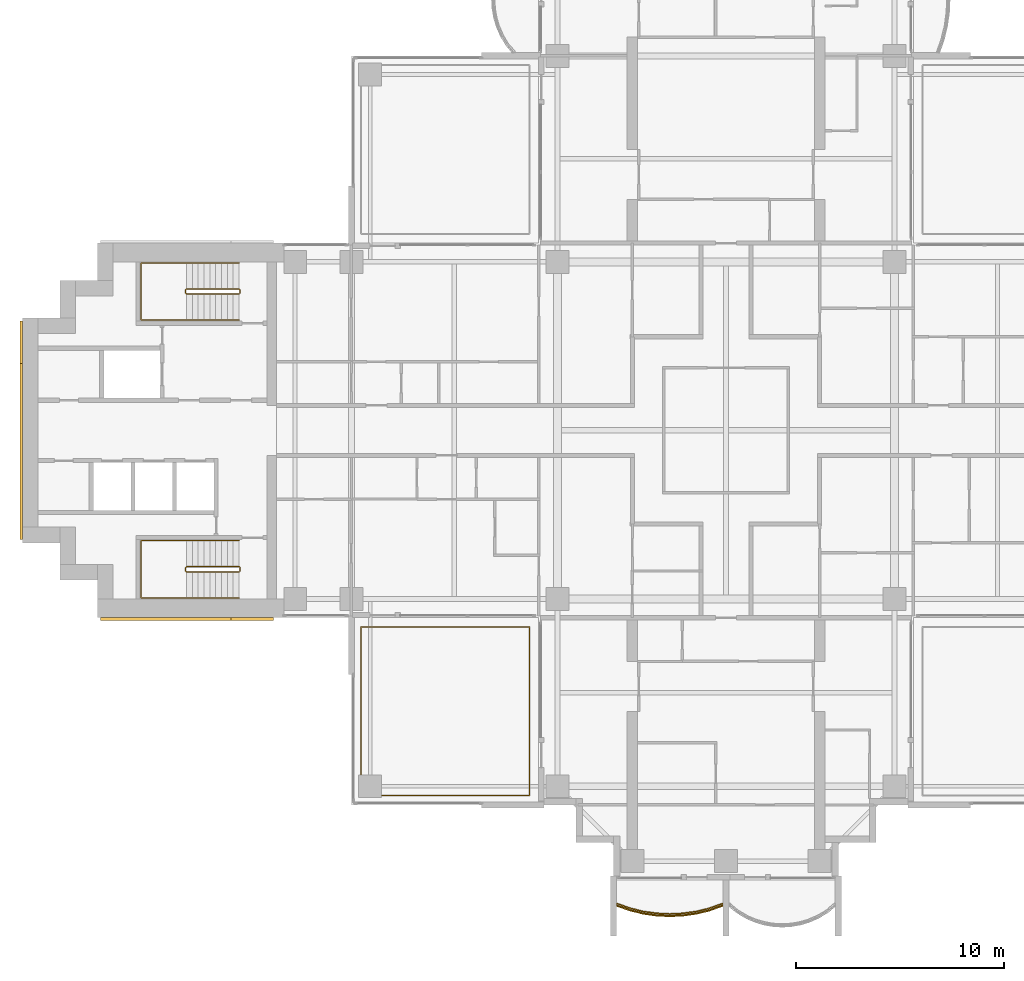
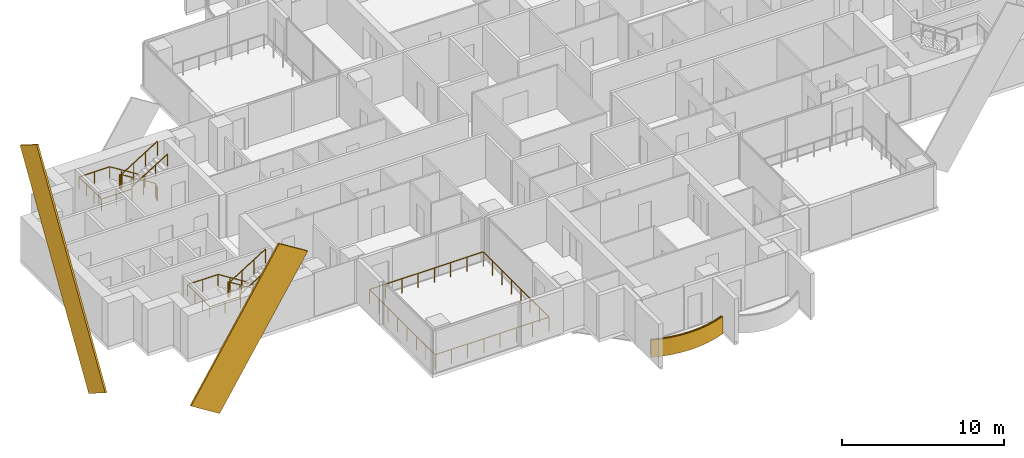
# One storey, part 16 of 19: 6 railings, 3 coverings.
"""IFC4 building model written with IfcOpenShell, lengths in metres."""

from ifc_helpers import new_model, si_unit, direction, frame, origin, origin_2d, place, context, subcontext, project, spatial, polyline, rectangle, outline, extrude, material, layer, layer_set, material_profile, profile_set, type_object, element, save


model = new_model("IFC4")

# Units and contexts
model_context = context("Model", 3, precision=1e-05, world=origin(), true_north=direction((0.0, 1.0)))
body_context = subcontext(model_context, "Body", "Model", "MODEL_VIEW")
ifc_project = project(units=[si_unit("LENGTHUNIT", "METRE"), si_unit("AREAUNIT", "SQUARE_METRE"), si_unit("VOLUMEUNIT", "CUBIC_METRE"), si_unit("PLANEANGLEUNIT", "RADIAN"), si_unit("MASSUNIT", "GRAM", prefix="KILO")], contexts=[model_context])

# Site, building, storey
site_placement = place(None, origin())
site = spatial("IfcSite", under=ifc_project, at=site_placement, CompositionType="ELEMENT")
building_placement = place(site_placement, origin())
building = spatial("IfcBuilding", under=site, at=building_placement, Name="Perihelion Cross Residences", CompositionType="ELEMENT")
storey_placement = place(building_placement, frame((0.0, 0.0, 116.39990234375)))
storey = spatial("IfcBuildingStorey", under=building, at=storey_placement, Name="L27", CompositionType="ELEMENT", Elevation=116.39990234375)

# Covering
ifc_material_1 = material(Name="Bronze anodised aluminium", Category="aluminium")
ifc_layer = layer(ifc_material_1, 0.070068359375)
ifc_layer_set = layer_set([ifc_layer], Name="Balcony fascia 1300")
covering_type_1 = type_object("IfcCoveringType", Name="Balcony fascia 1300", PredefinedType="CLADDING", material=ifc_layer_set)
covering_1_placement = place(storey_placement, frame((0.0, 0.0, -0.199951171875)))
element("IfcCovering", 1, at=covering_1_placement, inside=storey, type_object=covering_type_1, Name="Fascia BF1 L27 south tip south bay 1", PredefinedType="CLADDING", context=body_context, shape_type="SweptSolid", body=[
    extrude(outline(polyline([(-4.63232421875, -23.090576171875), (-3.98828125, -23.247314453125), (-3.34423828125, -23.339599609375), (-2.699951171875, -23.3701171875), (-2.055908203125, -23.339599609375), (-1.411865234375, -23.247314453125), (-0.767578125, -23.090576171875), (-0.14990234375, -22.874267578125), (-0.14990234375, -22.800048828125), (-0.78759765625, -23.0234375), (-1.425048828125, -23.178466796875), (-2.0625, -23.269775390625), (-2.699951171875, -23.300048828125), (-3.33740234375, -23.269775390625), (-3.97509765625, -23.178466796875), (-4.612548828125, -23.0234375), (-5.25, -22.800048828125), (-5.25, -22.874267578125), (-4.63232421875, -23.090576171875)])), origin(), (0.0, 0.0, 1.0), 1.300048828125),
])

# Railings
ifc_material_2 = material(Name="Bronze anodised aluminium", Category="aluminium")
railing_type_1 = type_object("IfcRailingType", Name="Balcony guard 1100", PredefinedType="GUARDRAIL", material=ifc_material_2)
railing_1_placement = place(storey_placement, frame((-5.22509765625, -22.739990234375, 0.0)))
element("IfcRailing", 2, at=railing_1_placement, inside=storey, type_object=railing_type_1, Name="Guard GU1 L27 south tip south bay 1 balcony", PredefinedType="GUARDRAIL", context=body_context, shape_type="SweptSolid", body=[
    extrude(rectangle(XDim=0.048095703125, YDim=0.048095703125, at=origin_2d()), frame((0.0, 0.0, 1.076171875), z_axis=(0.939355405384, -0.342945217749, 0.0), x_axis=(0.342945217749, 0.939355405384, 0.0)), (0.0, 0.0, 1.0), 0.652099609375),
    extrude(rectangle(XDim=0.048095703125, YDim=0.048095703125, at=origin_2d()), frame((0.612548828125, -0.2236328125, 1.076171875), z_axis=(0.971676841941, -0.236313594268, 0.0), x_axis=(0.236313594268, 0.971676841941, 0.0)), (0.0, 0.0, 1.0), 0.656005859375),
    extrude(rectangle(XDim=0.048095703125, YDim=0.048095703125, at=origin_2d()), frame((1.25, -0.378662109375, 1.076171875), z_axis=(0.989903964498, -0.141739694763, 0.0), x_axis=(0.141739694763, 0.989903964498, 0.0)), (0.0, 0.0, 1.0), 0.644287109375),
    extrude(rectangle(XDim=0.048095703125, YDim=0.048095703125, at=origin_2d()), frame((1.8876953125, -0.469970703125, 1.076171875), z_axis=(0.998892243319, -0.04705620296, 0.0), x_axis=(0.04705620296, 0.998892243319, 0.0)), (0.0, 0.0, 1.0), 0.63818359375),
    extrude(rectangle(XDim=0.048095703125, YDim=0.048095703125, at=origin_2d()), frame((2.525146484375, -0.5, 1.076171875), z_axis=(0.998892243319, 0.04705620296, 0.0), x_axis=(-0.04705620296, 0.998892243319, 0.0)), (0.0, 0.0, 1.0), 0.63818359375),
    extrude(rectangle(XDim=0.048095703125, YDim=0.048095703125, at=origin_2d()), frame((3.16259765625, -0.469970703125, 1.076171875), z_axis=(0.989896346386, 0.141792889142, 0.0), x_axis=(-0.141792889142, 0.989896346386, 0.0)), (0.0, 0.0, 1.0), 0.64404296875),
    extrude(rectangle(XDim=0.048095703125, YDim=0.048095703125, at=origin_2d()), frame((3.800048828125, -0.378662109375, 1.076171875), z_axis=(0.971676841941, 0.236313594268, 0.0), x_axis=(-0.236313594268, 0.971676841941, 0.0)), (0.0, 0.0, 1.0), 0.656005859375),
    extrude(rectangle(XDim=0.048095703125, YDim=0.048095703125, at=origin_2d()), frame((4.4375, -0.2236328125, 1.076171875), z_axis=(0.939355405384, 0.342945217749, 0.0), x_axis=(-0.342945217749, 0.939355405384, 0.0)), (0.0, 0.0, 1.0), 0.652099609375),
    extrude(rectangle(XDim=0.0419921875, YDim=0.0419921875, at=origin_2d()), origin(), (0.0, 0.0, 1.0), 1.052001953125),
    extrude(rectangle(XDim=0.0419921875, YDim=0.0419921875, at=origin_2d()), frame((0.612548828125, -0.2236328125, 0.0)), (0.0, 0.0, 1.0), 1.052001953125),
    extrude(rectangle(XDim=0.0419921875, YDim=0.0419921875, at=origin_2d()), frame((1.25, -0.378662109375, 0.0)), (0.0, 0.0, 1.0), 1.052001953125),
    extrude(rectangle(XDim=0.0419921875, YDim=0.0419921875, at=origin_2d()), frame((1.8876953125, -0.469970703125, 0.0)), (0.0, 0.0, 1.0), 1.052001953125),
    extrude(rectangle(XDim=0.0419921875, YDim=0.0419921875, at=origin_2d()), frame((2.525146484375, -0.5, 0.0)), (0.0, 0.0, 1.0), 1.052001953125),
    extrude(rectangle(XDim=0.0419921875, YDim=0.0419921875, at=origin_2d()), frame((3.16259765625, -0.469970703125, 0.0)), (0.0, 0.0, 1.0), 1.052001953125),
    extrude(rectangle(XDim=0.0419921875, YDim=0.0419921875, at=origin_2d()), frame((3.800048828125, -0.378662109375, 0.0)), (0.0, 0.0, 1.0), 1.052001953125),
    extrude(rectangle(XDim=0.0419921875, YDim=0.0419921875, at=origin_2d()), frame((4.4375, -0.2236328125, 0.0)), (0.0, 0.0, 1.0), 1.052001953125),
    extrude(rectangle(XDim=0.0419921875, YDim=0.0419921875, at=origin_2d()), frame((5.050048828125, 0.0, 0.0)), (0.0, 0.0, 1.0), 1.052001953125),
])
railing_2_placement = place(storey_placement, frame((-9.449951171875, -17.550048828125, 0.0)))
element("IfcRailing", 3, at=railing_2_placement, inside=storey, type_object=railing_type_1, Name="Guard GU1 L27 pocket south-west 1", PredefinedType="GUARDRAIL", context=body_context, shape_type="SweptSolid", body=[
    extrude(rectangle(XDim=0.048095703125, YDim=0.048095703125, at=origin_2d()), frame((0.0, 0.0, 1.076171875), z_axis=(-1.0, 0.0, 0.0), x_axis=(0.0, -1.0, 0.0)), (0.0, 0.0, 1.0), 8.10009765625),
    extrude(rectangle(XDim=0.048095703125, YDim=0.048095703125, at=origin_2d()), frame((-8.10009765625, 0.0, 1.076171875), z_axis=(0.0, 1.0, 0.0), x_axis=(-1.0, 0.0, 0.0)), (0.0, 0.0, 1.0), 8.10009765625),
    extrude(rectangle(XDim=0.048095703125, YDim=0.048095703125, at=origin_2d()), frame((-8.10009765625, 8.10009765625, 1.076171875), z_axis=(1.0, 0.0, 0.0), x_axis=(0.0, 1.0, 0.0)), (0.0, 0.0, 1.0), 8.10009765625),
    extrude(rectangle(XDim=0.048095703125, YDim=0.048095703125, at=origin_2d()), frame((0.0, 8.10009765625, 1.076171875), z_axis=(0.0, -1.0, 0.0), x_axis=(1.0, 0.0, 0.0)), (0.0, 0.0, 1.0), 8.10009765625),
    extrude(rectangle(XDim=0.0419921875, YDim=0.0419921875, at=origin_2d()), origin(), (0.0, 0.0, 1.0), 1.052001953125),
    extrude(rectangle(XDim=0.0419921875, YDim=0.0419921875, at=origin_2d()), frame((-1.1572265625, 0.0, 0.0)), (0.0, 0.0, 1.0), 1.052001953125),
    extrude(rectangle(XDim=0.0419921875, YDim=0.0419921875, at=origin_2d()), frame((-2.314208984375, 0.0, 0.0)), (0.0, 0.0, 1.0), 1.052001953125),
    extrude(rectangle(XDim=0.0419921875, YDim=0.0419921875, at=origin_2d()), frame((-3.471435546875, 0.0, 0.0)), (0.0, 0.0, 1.0), 1.052001953125),
    extrude(rectangle(XDim=0.0419921875, YDim=0.0419921875, at=origin_2d()), frame((-4.628662109375, 0.0, 0.0)), (0.0, 0.0, 1.0), 1.052001953125),
    extrude(rectangle(XDim=0.0419921875, YDim=0.0419921875, at=origin_2d()), frame((-5.785888671875, 0.0, 0.0)), (0.0, 0.0, 1.0), 1.052001953125),
    extrude(rectangle(XDim=0.0419921875, YDim=0.0419921875, at=origin_2d()), frame((-6.94287109375, 0.0, 0.0)), (0.0, 0.0, 1.0), 1.052001953125),
    extrude(rectangle(XDim=0.0419921875, YDim=0.0419921875, at=origin_2d()), frame((-8.10009765625, 0.0, 0.0)), (0.0, 0.0, 1.0), 1.052001953125),
    extrude(rectangle(XDim=0.0419921875, YDim=0.0419921875, at=origin_2d()), frame((-8.10009765625, 1.1572265625, 0.0)), (0.0, 0.0, 1.0), 1.052001953125),
    extrude(rectangle(XDim=0.0419921875, YDim=0.0419921875, at=origin_2d()), frame((-8.10009765625, 2.314208984375, 0.0)), (0.0, 0.0, 1.0), 1.052001953125),
    extrude(rectangle(XDim=0.0419921875, YDim=0.0419921875, at=origin_2d()), frame((-8.10009765625, 3.471435546875, 0.0)), (0.0, 0.0, 1.0), 1.052001953125),
    extrude(rectangle(XDim=0.0419921875, YDim=0.0419921875, at=origin_2d()), frame((-8.10009765625, 4.628662109375, 0.0)), (0.0, 0.0, 1.0), 1.052001953125),
    extrude(rectangle(XDim=0.0419921875, YDim=0.0419921875, at=origin_2d()), frame((-8.10009765625, 5.785888671875, 0.0)), (0.0, 0.0, 1.0), 1.052001953125),
    extrude(rectangle(XDim=0.0419921875, YDim=0.0419921875, at=origin_2d()), frame((-8.10009765625, 6.94287109375, 0.0)), (0.0, 0.0, 1.0), 1.052001953125),
    extrude(rectangle(XDim=0.0419921875, YDim=0.0419921875, at=origin_2d()), frame((-8.10009765625, 8.10009765625, 0.0)), (0.0, 0.0, 1.0), 1.052001953125),
    extrude(rectangle(XDim=0.0419921875, YDim=0.0419921875, at=origin_2d()), frame((-6.94287109375, 8.10009765625, 0.0)), (0.0, 0.0, 1.0), 1.052001953125),
    extrude(rectangle(XDim=0.0419921875, YDim=0.0419921875, at=origin_2d()), frame((-5.785888671875, 8.10009765625, 0.0)), (0.0, 0.0, 1.0), 1.052001953125),
    extrude(rectangle(XDim=0.0419921875, YDim=0.0419921875, at=origin_2d()), frame((-4.628662109375, 8.10009765625, 0.0)), (0.0, 0.0, 1.0), 1.052001953125),
    extrude(rectangle(XDim=0.0419921875, YDim=0.0419921875, at=origin_2d()), frame((-3.471435546875, 8.10009765625, 0.0)), (0.0, 0.0, 1.0), 1.052001953125),
    extrude(rectangle(XDim=0.0419921875, YDim=0.0419921875, at=origin_2d()), frame((-2.314208984375, 8.10009765625, 0.0)), (0.0, 0.0, 1.0), 1.052001953125),
    extrude(rectangle(XDim=0.0419921875, YDim=0.0419921875, at=origin_2d()), frame((-1.1572265625, 8.10009765625, 0.0)), (0.0, 0.0, 1.0), 1.052001953125),
    extrude(rectangle(XDim=0.0419921875, YDim=0.0419921875, at=origin_2d()), frame((0.0, 8.10009765625, 0.0)), (0.0, 0.0, 1.0), 1.052001953125),
    extrude(rectangle(XDim=0.0419921875, YDim=0.0419921875, at=origin_2d()), frame((0.0, 6.94287109375, 0.0)), (0.0, 0.0, 1.0), 1.052001953125),
    extrude(rectangle(XDim=0.0419921875, YDim=0.0419921875, at=origin_2d()), frame((0.0, 5.785888671875, 0.0)), (0.0, 0.0, 1.0), 1.052001953125),
    extrude(rectangle(XDim=0.0419921875, YDim=0.0419921875, at=origin_2d()), frame((0.0, 4.628662109375, 0.0)), (0.0, 0.0, 1.0), 1.052001953125),
    extrude(rectangle(XDim=0.0419921875, YDim=0.0419921875, at=origin_2d()), frame((0.0, 3.471435546875, 0.0)), (0.0, 0.0, 1.0), 1.052001953125),
    extrude(rectangle(XDim=0.0419921875, YDim=0.0419921875, at=origin_2d()), frame((0.0, 2.314208984375, 0.0)), (0.0, 0.0, 1.0), 1.052001953125),
    extrude(rectangle(XDim=0.0419921875, YDim=0.0419921875, at=origin_2d()), frame((0.0, 1.1572265625, 0.0)), (0.0, 0.0, 1.0), 1.052001953125),
])

# Coverings
ifc_material_3 = material(Name="Bronze anodised aluminium", Category="aluminium")
ifc_material_profile = material_profile(ifc_material_3, rectangle(XDim=0.125, YDim=2.39990234375, at=origin_2d()), Name="Bronze cladding band 2400")
ifc_profile_set = profile_set([ifc_material_profile], Name="Bronze anodised aluminium")
covering_type_2 = type_object("IfcCoveringType", Name="Bronze cladding band 2400", PredefinedType="CLADDING", material=ifc_profile_set)
covering_2_placement = place(storey_placement, frame((-29.0322265625, -9.0625, -4.156005859375), z_axis=(0.529915403603, 0.0, 0.848050508534), x_axis=(0.0, 1.0, 0.0)))
element("IfcCovering", 4, at=covering_2_placement, inside=storey, type_object=covering_type_2, Name="Core cladding band, west core", PredefinedType="CLADDING", context=body_context, shape_type="SweptSolid", body=[
    extrude(rectangle(XDim=0.125, YDim=2.39990234375, at=origin_2d()), origin(), (0.0, 0.0, 1.0), 11.822021484375),
])
covering_3_placement = place(storey_placement, frame((-33.862548828125, -4.232421875, -4.156005859375), z_axis=(0.0, 0.529924750763, 0.848044667767), x_axis=(-1.0, 0.0, 0.0)))
element("IfcCovering", 5, at=covering_3_placement, inside=storey, type_object=covering_type_2, Name="Core cladding band, west core", PredefinedType="CLADDING", context=body_context, shape_type="SweptSolid", body=[
    extrude(rectangle(XDim=0.125, YDim=2.39990234375, at=origin_2d()), origin(), (0.0, 0.0, 1.0), 15.9736328125),
])

# Railings
ifc_material_4 = material(Name="Stainless steel", Category="steel")
railing_type_2 = type_object("IfcRailingType", Name="Stair guard 1100", PredefinedType="GUARDRAIL", material=ifc_material_4)
railing_3_placement = place(storey_placement, frame((-23.35009765625, 6.60009765625, 0.0)))
element("IfcRailing", 6, at=railing_3_placement, inside=storey, type_object=railing_type_2, Name="L27 ST-W1 stair guard 1", PredefinedType="GUARDRAIL", context=body_context, shape_type="SweptSolid", body=[
    extrude(rectangle(XDim=0.048095703125, YDim=0.048095703125, at=origin_2d()), frame((0.0, 0.0, 1.076171875), z_axis=(0.0, 1.0, 0.0), x_axis=(-1.0, 0.0, 0.0)), (0.0, 0.0, 1.0), 0.14990234375),
    extrude(rectangle(XDim=0.048095703125, YDim=0.048095703125, at=origin_2d()), frame((0.0, 0.14990234375, 1.076171875), z_axis=(-0.263862480399, 0.265155923931, 0.927399011991), x_axis=(-0.708833529934, -0.705375805398, 0.0)), (0.0, 0.0, 1.0), 0.188720703125),
    extrude(rectangle(XDim=0.048095703125, YDim=0.048095703125, at=origin_2d()), frame((-0.0498046875, 0.199951171875, 1.2509765625), z_axis=(-0.848007534815, 0.0, 0.529984170421), x_axis=(0.0, -1.0, 0.0)), (0.0, 0.0, 1.0), 2.9716796875),
    extrude(rectangle(XDim=0.048095703125, YDim=0.048095703125, at=origin_2d()), frame((-2.56982421875, 0.199951171875, 2.826171875), z_axis=(-0.707106781187, -0.707106781187, 0.0), x_axis=(0.707106781187, -0.707106781187, 0.0)), (0.0, 0.0, 1.0), 0.07080078125),
    extrude(rectangle(XDim=0.048095703125, YDim=0.048095703125, at=origin_2d()), frame((-2.619873046875, 0.14990234375, 2.826171875), z_axis=(0.0, -1.0, 0.0), x_axis=(1.0, 0.0, 0.0)), (0.0, 0.0, 1.0), 0.14990234375),
    extrude(rectangle(XDim=0.048095703125, YDim=0.048095703125, at=origin_2d()), frame((-2.619873046875, 0.0, 2.826171875), z_axis=(0.265065253269, -0.265065253269, 0.927081885822), x_axis=(0.707106781187, 0.707106781187, 0.0)), (0.0, 0.0, 1.0), 0.188720703125),
    extrude(rectangle(XDim=0.048095703125, YDim=0.048095703125, at=origin_2d()), frame((-2.56982421875, -0.050048828125, 3.0009765625), z_axis=(0.848007534815, 0.0, 0.529984170421), x_axis=(0.0, 1.0, 0.0)), (0.0, 0.0, 1.0), 2.9716796875),
    extrude(rectangle(XDim=0.0419921875, YDim=0.0419921875, at=origin_2d()), origin(), (0.0, 0.0, 1.0), 1.052001953125),
    extrude(rectangle(XDim=0.0419921875, YDim=0.0419921875, at=origin_2d()), frame((0.0, 0.14990234375, 0.0)), (0.0, 0.0, 1.0), 1.052001953125),
    extrude(rectangle(XDim=0.0419921875, YDim=0.0419921875, at=origin_2d()), frame((-0.0498046875, 0.199951171875, 0.175048828125)), (0.0, 0.0, 1.0), 1.052001953125),
    extrude(rectangle(XDim=0.0419921875, YDim=0.0419921875, at=origin_2d()), frame((-0.889892578125, 0.199951171875, 0.699951171875)), (0.0, 0.0, 1.0), 1.052001953125),
    extrude(rectangle(XDim=0.0419921875, YDim=0.0419921875, at=origin_2d()), frame((-1.729736328125, 0.199951171875, 1.22509765625)), (0.0, 0.0, 1.0), 1.052001953125),
    extrude(rectangle(XDim=0.0419921875, YDim=0.0419921875, at=origin_2d()), frame((-2.56982421875, 0.199951171875, 1.75)), (0.0, 0.0, 1.0), 1.052001953125),
    extrude(rectangle(XDim=0.0419921875, YDim=0.0419921875, at=origin_2d()), frame((-2.619873046875, 0.14990234375, 1.75)), (0.0, 0.0, 1.0), 1.052001953125),
    extrude(rectangle(XDim=0.0419921875, YDim=0.0419921875, at=origin_2d()), frame((-2.619873046875, 0.0, 1.75)), (0.0, 0.0, 1.0), 1.052001953125),
    extrude(rectangle(XDim=0.0419921875, YDim=0.0419921875, at=origin_2d()), frame((-2.56982421875, -0.050048828125, 1.925048828125)), (0.0, 0.0, 1.0), 1.052001953125),
    extrude(rectangle(XDim=0.0419921875, YDim=0.0419921875, at=origin_2d()), frame((-1.729736328125, -0.050048828125, 2.449951171875)), (0.0, 0.0, 1.0), 1.052001953125),
    extrude(rectangle(XDim=0.0419921875, YDim=0.0419921875, at=origin_2d()), frame((-0.889892578125, -0.050048828125, 2.97509765625)), (0.0, 0.0, 1.0), 1.052001953125),
    extrude(rectangle(XDim=0.0419921875, YDim=0.0419921875, at=origin_2d()), frame((-0.0498046875, -0.050048828125, 3.5)), (0.0, 0.0, 1.0), 1.052001953125),
])
railing_4_placement = place(storey_placement, frame((-23.35009765625, -6.75, 0.0)))
element("IfcRailing", 7, at=railing_4_placement, inside=storey, type_object=railing_type_2, Name="L27 ST-W2 stair guard 1", PredefinedType="GUARDRAIL", context=body_context, shape_type="SweptSolid", body=[
    extrude(rectangle(XDim=0.048095703125, YDim=0.048095703125, at=origin_2d()), frame((0.0, 0.0, 1.076171875), z_axis=(0.0, 1.0, 0.0), x_axis=(-1.0, 0.0, 0.0)), (0.0, 0.0, 1.0), 0.14990234375),
    extrude(rectangle(XDim=0.048095703125, YDim=0.048095703125, at=origin_2d()), frame((0.0, 0.14990234375, 1.076171875), z_axis=(-0.263862480399, 0.265155923931, 0.927399011991), x_axis=(-0.708833529934, -0.705375805398, 0.0)), (0.0, 0.0, 1.0), 0.188720703125),
    extrude(rectangle(XDim=0.048095703125, YDim=0.048095703125, at=origin_2d()), frame((-0.0498046875, 0.199951171875, 1.2509765625), z_axis=(-0.848007534815, 0.0, 0.529984170421), x_axis=(0.0, -1.0, 0.0)), (0.0, 0.0, 1.0), 2.9716796875),
    extrude(rectangle(XDim=0.048095703125, YDim=0.048095703125, at=origin_2d()), frame((-2.56982421875, 0.199951171875, 2.826171875), z_axis=(-0.707106781187, -0.707106781187, 0.0), x_axis=(0.707106781187, -0.707106781187, 0.0)), (0.0, 0.0, 1.0), 0.07080078125),
    extrude(rectangle(XDim=0.048095703125, YDim=0.048095703125, at=origin_2d()), frame((-2.619873046875, 0.14990234375, 2.826171875), z_axis=(0.0, -1.0, 0.0), x_axis=(1.0, 0.0, 0.0)), (0.0, 0.0, 1.0), 0.14990234375),
    extrude(rectangle(XDim=0.048095703125, YDim=0.048095703125, at=origin_2d()), frame((-2.619873046875, 0.0, 2.826171875), z_axis=(0.265065253269, -0.265065253269, 0.927081885822), x_axis=(0.707106781187, 0.707106781187, 0.0)), (0.0, 0.0, 1.0), 0.188720703125),
    extrude(rectangle(XDim=0.048095703125, YDim=0.048095703125, at=origin_2d()), frame((-2.56982421875, -0.050048828125, 3.0009765625), z_axis=(0.848007534815, 0.0, 0.529984170421), x_axis=(0.0, 1.0, 0.0)), (0.0, 0.0, 1.0), 2.9716796875),
    extrude(rectangle(XDim=0.0419921875, YDim=0.0419921875, at=origin_2d()), origin(), (0.0, 0.0, 1.0), 1.052001953125),
    extrude(rectangle(XDim=0.0419921875, YDim=0.0419921875, at=origin_2d()), frame((0.0, 0.14990234375, 0.0)), (0.0, 0.0, 1.0), 1.052001953125),
    extrude(rectangle(XDim=0.0419921875, YDim=0.0419921875, at=origin_2d()), frame((-0.0498046875, 0.199951171875, 0.175048828125)), (0.0, 0.0, 1.0), 1.052001953125),
    extrude(rectangle(XDim=0.0419921875, YDim=0.0419921875, at=origin_2d()), frame((-0.889892578125, 0.199951171875, 0.699951171875)), (0.0, 0.0, 1.0), 1.052001953125),
    extrude(rectangle(XDim=0.0419921875, YDim=0.0419921875, at=origin_2d()), frame((-1.729736328125, 0.199951171875, 1.22509765625)), (0.0, 0.0, 1.0), 1.052001953125),
    extrude(rectangle(XDim=0.0419921875, YDim=0.0419921875, at=origin_2d()), frame((-2.56982421875, 0.199951171875, 1.75)), (0.0, 0.0, 1.0), 1.052001953125),
    extrude(rectangle(XDim=0.0419921875, YDim=0.0419921875, at=origin_2d()), frame((-2.619873046875, 0.14990234375, 1.75)), (0.0, 0.0, 1.0), 1.052001953125),
    extrude(rectangle(XDim=0.0419921875, YDim=0.0419921875, at=origin_2d()), frame((-2.619873046875, 0.0, 1.75)), (0.0, 0.0, 1.0), 1.052001953125),
    extrude(rectangle(XDim=0.0419921875, YDim=0.0419921875, at=origin_2d()), frame((-2.56982421875, -0.050048828125, 1.925048828125)), (0.0, 0.0, 1.0), 1.052001953125),
    extrude(rectangle(XDim=0.0419921875, YDim=0.0419921875, at=origin_2d()), frame((-1.729736328125, -0.050048828125, 2.449951171875)), (0.0, 0.0, 1.0), 1.052001953125),
    extrude(rectangle(XDim=0.0419921875, YDim=0.0419921875, at=origin_2d()), frame((-0.889892578125, -0.050048828125, 2.97509765625)), (0.0, 0.0, 1.0), 1.052001953125),
    extrude(rectangle(XDim=0.0419921875, YDim=0.0419921875, at=origin_2d()), frame((-0.0498046875, -0.050048828125, 3.5)), (0.0, 0.0, 1.0), 1.052001953125),
])
ifc_material_5 = material(Name="Stainless steel", Category="steel")
railing_type_3 = type_object("IfcRailingType", Name="Stair handrail 900", PredefinedType="HANDRAIL", material=ifc_material_5)
railing_5_placement = place(storey_placement, frame((-23.39990234375, 8.050048828125, 0.175048828125)))
element("IfcRailing", 8, at=railing_5_placement, inside=storey, type_object=railing_type_3, Name="L27 ST-W1 stair handrail 1", PredefinedType="HANDRAIL", context=body_context, shape_type="SweptSolid", body=[
    extrude(rectangle(XDim=0.048095703125, YDim=0.048095703125, at=origin_2d()), frame((0.0, 0.0, 0.8759765625), z_axis=(-0.848007534815, 0.0, 0.529984170421), x_axis=(0.0, -1.0, 0.0)), (0.0, 0.0, 1.0), 2.9716796875),
    extrude(rectangle(XDim=0.048095703125, YDim=0.048095703125, at=origin_2d()), frame((-2.52001953125, 0.0, 2.45068359375), z_axis=(-1.0, 0.0, 0.0), x_axis=(0.0, -1.0, 0.0)), (0.0, 0.0, 1.0), 2.18017578125),
    extrude(rectangle(XDim=0.048095703125, YDim=0.048095703125, at=origin_2d()), frame((-4.7001953125, 0.0, 2.45068359375), z_axis=(0.0, -1.0, 0.0), x_axis=(1.0, 0.0, 0.0)), (0.0, 0.0, 1.0), 2.75),
    extrude(rectangle(XDim=0.048095703125, YDim=0.048095703125, at=origin_2d()), frame((-4.7001953125, -2.75, 2.45068359375), z_axis=(1.0, 0.0, 0.0), x_axis=(0.0, 1.0, 0.0)), (0.0, 0.0, 1.0), 2.18017578125),
    extrude(rectangle(XDim=0.048095703125, YDim=0.048095703125, at=origin_2d()), frame((-2.52001953125, -2.75, 2.45068359375), z_axis=(0.0, 0.0, 1.0), x_axis=(1.0, 0.0, 0.0)), (0.0, 0.0, 1.0), 0.175048828125),
    extrude(rectangle(XDim=0.048095703125, YDim=0.048095703125, at=origin_2d()), frame((-2.52001953125, -2.75, 2.6259765625), z_axis=(0.848007534815, 0.0, 0.529984170421), x_axis=(0.0, 1.0, 0.0)), (0.0, 0.0, 1.0), 2.9716796875),
    extrude(rectangle(XDim=0.0419921875, YDim=0.0419921875, at=origin_2d()), origin(), (0.0, 0.0, 1.0), 0.851806640625),
    extrude(rectangle(XDim=0.0419921875, YDim=0.0419921875, at=origin_2d()), frame((-0.840087890625, 0.0, 0.52490234375)), (0.0, 0.0, 1.0), 0.851806640625),
    extrude(rectangle(XDim=0.0419921875, YDim=0.0419921875, at=origin_2d()), frame((-1.679931640625, 0.0, 1.050048828125)), (0.0, 0.0, 1.0), 0.851806640625),
    extrude(rectangle(XDim=0.0419921875, YDim=0.0419921875, at=origin_2d()), frame((-2.52001953125, 0.0, 1.574951171875)), (0.0, 0.0, 1.0), 0.851806640625),
    extrude(rectangle(XDim=0.0419921875, YDim=0.0419921875, at=origin_2d()), frame((-3.610107421875, 0.0, 1.574951171875)), (0.0, 0.0, 1.0), 0.851806640625),
    extrude(rectangle(XDim=0.0419921875, YDim=0.0419921875, at=origin_2d()), frame((-4.7001953125, 0.0, 1.574951171875)), (0.0, 0.0, 1.0), 0.851806640625),
    extrude(rectangle(XDim=0.0419921875, YDim=0.0419921875, at=origin_2d()), frame((-4.7001953125, -0.916748046875, 1.574951171875)), (0.0, 0.0, 1.0), 0.851806640625),
    extrude(rectangle(XDim=0.0419921875, YDim=0.0419921875, at=origin_2d()), frame((-4.7001953125, -1.833251953125, 1.574951171875)), (0.0, 0.0, 1.0), 0.851806640625),
    extrude(rectangle(XDim=0.0419921875, YDim=0.0419921875, at=origin_2d()), frame((-4.7001953125, -2.75, 1.574951171875)), (0.0, 0.0, 1.0), 0.851806640625),
    extrude(rectangle(XDim=0.0419921875, YDim=0.0419921875, at=origin_2d()), frame((-3.610107421875, -2.75, 1.574951171875)), (0.0, 0.0, 1.0), 0.851806640625),
    extrude(rectangle(XDim=0.0419921875, YDim=0.0419921875, at=origin_2d()), frame((-2.52001953125, -2.75, 1.574951171875)), (0.0, 0.0, 1.0), 0.851806640625),
    extrude(rectangle(XDim=0.0419921875, YDim=0.0419921875, at=origin_2d()), frame((-2.52001953125, -2.75, 1.75)), (0.0, 0.0, 1.0), 0.851806640625),
    extrude(rectangle(XDim=0.0419921875, YDim=0.0419921875, at=origin_2d()), frame((-1.679931640625, -2.75, 2.27490234375)), (0.0, 0.0, 1.0), 0.851806640625),
    extrude(rectangle(XDim=0.0419921875, YDim=0.0419921875, at=origin_2d()), frame((-0.840087890625, -2.75, 2.800048828125)), (0.0, 0.0, 1.0), 0.851806640625),
    extrude(rectangle(XDim=0.0419921875, YDim=0.0419921875, at=origin_2d()), frame((0.0, -2.75, 3.324951171875)), (0.0, 0.0, 1.0), 0.851806640625),
])
railing_6_placement = place(storey_placement, frame((-23.39990234375, -5.300048828125, 0.175048828125)))
element("IfcRailing", 9, at=railing_6_placement, inside=storey, type_object=railing_type_3, Name="L27 ST-W2 stair handrail 1", PredefinedType="HANDRAIL", context=body_context, shape_type="SweptSolid", body=[
    extrude(rectangle(XDim=0.048095703125, YDim=0.048095703125, at=origin_2d()), frame((0.0, 0.0, 0.8759765625), z_axis=(-0.848007534815, 0.0, 0.529984170421), x_axis=(0.0, -1.0, 0.0)), (0.0, 0.0, 1.0), 2.9716796875),
    extrude(rectangle(XDim=0.048095703125, YDim=0.048095703125, at=origin_2d()), frame((-2.52001953125, 0.0, 2.45068359375), z_axis=(-1.0, 0.0, 0.0), x_axis=(0.0, -1.0, 0.0)), (0.0, 0.0, 1.0), 2.18017578125),
    extrude(rectangle(XDim=0.048095703125, YDim=0.048095703125, at=origin_2d()), frame((-4.7001953125, 0.0, 2.45068359375), z_axis=(0.0, -1.0, 0.0), x_axis=(1.0, 0.0, 0.0)), (0.0, 0.0, 1.0), 2.75),
    extrude(rectangle(XDim=0.048095703125, YDim=0.048095703125, at=origin_2d()), frame((-4.7001953125, -2.75, 2.45068359375), z_axis=(1.0, 0.0, 0.0), x_axis=(0.0, 1.0, 0.0)), (0.0, 0.0, 1.0), 2.18017578125),
    extrude(rectangle(XDim=0.048095703125, YDim=0.048095703125, at=origin_2d()), frame((-2.52001953125, -2.75, 2.45068359375), z_axis=(0.0, 0.0, 1.0), x_axis=(1.0, 0.0, 0.0)), (0.0, 0.0, 1.0), 0.175048828125),
    extrude(rectangle(XDim=0.048095703125, YDim=0.048095703125, at=origin_2d()), frame((-2.52001953125, -2.75, 2.6259765625), z_axis=(0.848007534815, 0.0, 0.529984170421), x_axis=(0.0, 1.0, 0.0)), (0.0, 0.0, 1.0), 2.9716796875),
    extrude(rectangle(XDim=0.0419921875, YDim=0.0419921875, at=origin_2d()), origin(), (0.0, 0.0, 1.0), 0.851806640625),
    extrude(rectangle(XDim=0.0419921875, YDim=0.0419921875, at=origin_2d()), frame((-0.840087890625, 0.0, 0.52490234375)), (0.0, 0.0, 1.0), 0.851806640625),
    extrude(rectangle(XDim=0.0419921875, YDim=0.0419921875, at=origin_2d()), frame((-1.679931640625, 0.0, 1.050048828125)), (0.0, 0.0, 1.0), 0.851806640625),
    extrude(rectangle(XDim=0.0419921875, YDim=0.0419921875, at=origin_2d()), frame((-2.52001953125, 0.0, 1.574951171875)), (0.0, 0.0, 1.0), 0.851806640625),
    extrude(rectangle(XDim=0.0419921875, YDim=0.0419921875, at=origin_2d()), frame((-3.610107421875, 0.0, 1.574951171875)), (0.0, 0.0, 1.0), 0.851806640625),
    extrude(rectangle(XDim=0.0419921875, YDim=0.0419921875, at=origin_2d()), frame((-4.7001953125, 0.0, 1.574951171875)), (0.0, 0.0, 1.0), 0.851806640625),
    extrude(rectangle(XDim=0.0419921875, YDim=0.0419921875, at=origin_2d()), frame((-4.7001953125, -0.916748046875, 1.574951171875)), (0.0, 0.0, 1.0), 0.851806640625),
    extrude(rectangle(XDim=0.0419921875, YDim=0.0419921875, at=origin_2d()), frame((-4.7001953125, -1.833251953125, 1.574951171875)), (0.0, 0.0, 1.0), 0.851806640625),
    extrude(rectangle(XDim=0.0419921875, YDim=0.0419921875, at=origin_2d()), frame((-4.7001953125, -2.75, 1.574951171875)), (0.0, 0.0, 1.0), 0.851806640625),
    extrude(rectangle(XDim=0.0419921875, YDim=0.0419921875, at=origin_2d()), frame((-3.610107421875, -2.75, 1.574951171875)), (0.0, 0.0, 1.0), 0.851806640625),
    extrude(rectangle(XDim=0.0419921875, YDim=0.0419921875, at=origin_2d()), frame((-2.52001953125, -2.75, 1.574951171875)), (0.0, 0.0, 1.0), 0.851806640625),
    extrude(rectangle(XDim=0.0419921875, YDim=0.0419921875, at=origin_2d()), frame((-2.52001953125, -2.75, 1.75)), (0.0, 0.0, 1.0), 0.851806640625),
    extrude(rectangle(XDim=0.0419921875, YDim=0.0419921875, at=origin_2d()), frame((-1.679931640625, -2.75, 2.27490234375)), (0.0, 0.0, 1.0), 0.851806640625),
    extrude(rectangle(XDim=0.0419921875, YDim=0.0419921875, at=origin_2d()), frame((-0.840087890625, -2.75, 2.800048828125)), (0.0, 0.0, 1.0), 0.851806640625),
    extrude(rectangle(XDim=0.0419921875, YDim=0.0419921875, at=origin_2d()), frame((0.0, -2.75, 3.324951171875)), (0.0, 0.0, 1.0), 0.851806640625),
])

save(model, "model.ifc")
